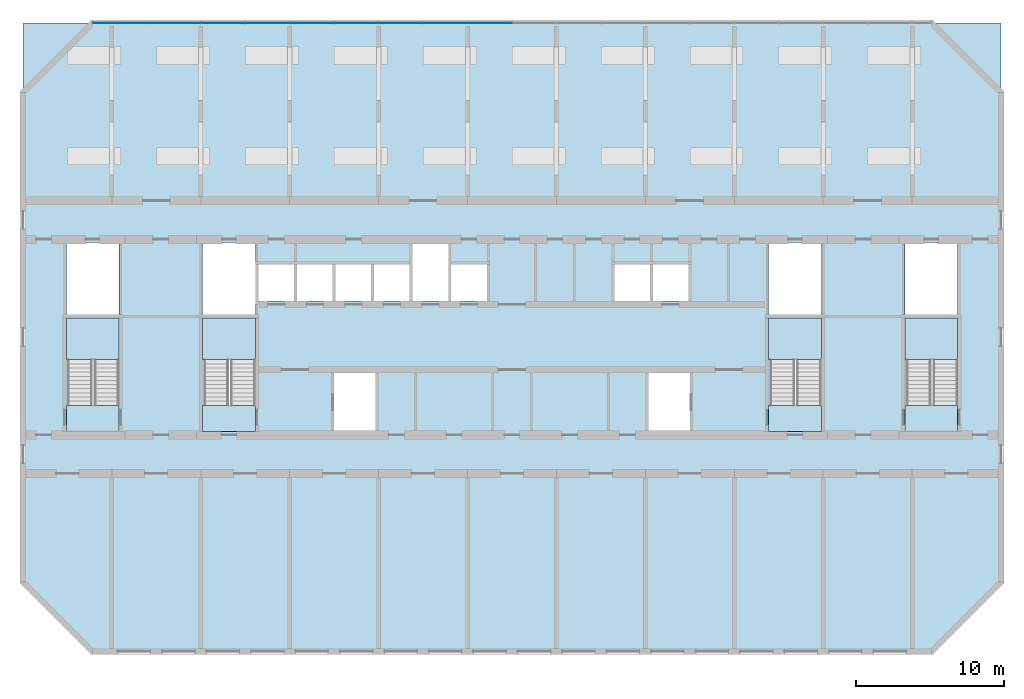
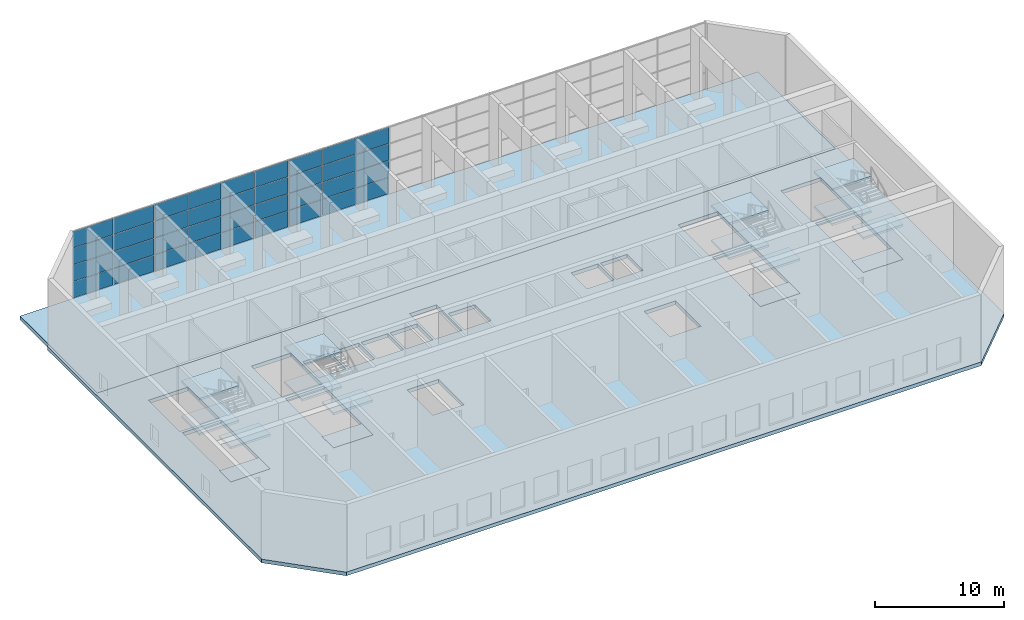
# One storey, part 4 of 13: 36 plates, 18 slabs, 7 elements without a shape of their own.
"""IFC4 building model written with IfcOpenShell, lengths in metres."""

from ifc_helpers import new_model, si_unit, direction, frame, origin, origin_2d, place, context, subcontext, project, spatial, polyline, rectangle, outline, extrude, source, transform, mapped, material, layer, layer_set, type_object, element, aggregate, save


model = new_model("IFC4")

# Units and contexts
model_context = context("Model", 3, precision=1e-05, world=origin(), true_north=direction((0.0, 1.0)))
body_context = subcontext(model_context, "Body", "Model", "MODEL_VIEW")
ifc_project = project(units=[si_unit("LENGTHUNIT", "METRE"), si_unit("AREAUNIT", "SQUARE_METRE"), si_unit("VOLUMEUNIT", "CUBIC_METRE"), si_unit("PLANEANGLEUNIT", "RADIAN"), si_unit("MASSUNIT", "GRAM", prefix="KILO")], contexts=[model_context])

# Site, building, storey
site_placement = place(None, origin())
site = spatial("IfcSite", under=ifc_project, at=site_placement, CompositionType="ELEMENT")
building_placement = place(site_placement, origin())
building = spatial("IfcBuilding", under=site, at=building_placement, Name="Poui Terraces", CompositionType="ELEMENT")
storey_placement = place(building_placement, frame((0.0, 0.0, 165.300048828125)))
storey = spatial("IfcBuildingStorey", under=building, at=storey_placement, Name="L46", CompositionType="ELEMENT", Elevation=165.300048828125)

# Curtain wall, plates
ifc_material_1 = material(Name="Clear glass", Category="glass")
ifc_layer_1 = layer(ifc_material_1, 0.159912109375)
ifc_layer_set_1 = layer_set([ifc_layer_1], Name="Clear glass")
curtain_wall_type = type_object("IfcCurtainWallType", Name="CURTAIN WALL CW-D SKY GARDEN GLAZING", PredefinedType="NOTDEFINED", material=ifc_layer_set_1)
curtain_wall_1_placement = place(storey_placement, origin())
curtain_wall_1 = element("IfcCurtainWall", 1, at=curtain_wall_1_placement, inside=storey, type_object=curtain_wall_type, Name="CW-D SKY GARDEN GLAZING", PredefinedType="NOTDEFINED")
ifc_layer_2 = layer(ifc_material_1, 0.052001953125)
ifc_layer_set_2 = layer_set([ifc_layer_2], Name="Clear glass")
plate_type = type_object("IfcPlateType", Name="CW-D GLASS PANEL 52", PredefinedType="CURTAIN_PANEL", material=ifc_layer_set_2)
plate_1_placement = place(storey_placement, frame((28.158203125, 42.39990234375, 0.050048828125), z_axis=(0.0, 0.0, 1.0), x_axis=(-1.0, 0.0, 0.0)))
plate_1 = element("IfcPlate", 2, at=plate_1_placement, type_object=plate_type, Name="CW-D panel 1.1", PredefinedType="CURTAIN_PANEL", context=body_context, shape_type="SweptSolid", body=[
    extrude(rectangle(XDim=3.58349609375, YDim=0.052001953125, at=origin_2d()), origin(), (0.0, 0.0, 1.0), 1.52001953125),
])
plate_2_placement = place(storey_placement, frame((28.158203125, 42.39990234375, 1.619873046875), z_axis=(0.0, 0.0, 1.0), x_axis=(-1.0, 0.0, 0.0)))
plate_2 = element("IfcPlate", 3, at=plate_2_placement, type_object=plate_type, Name="CW-D panel 1.2", PredefinedType="CURTAIN_PANEL", context=body_context, shape_type="SweptSolid", body=[
    extrude(rectangle(XDim=3.58349609375, YDim=0.052001953125, at=origin_2d()), origin(), (0.0, 0.0, 1.0), 1.544921875),
])
plate_3_placement = place(storey_placement, frame((28.158203125, 42.39990234375, 3.215087890625), z_axis=(0.0, 0.0, 1.0), x_axis=(-1.0, 0.0, 0.0)))
plate_3 = element("IfcPlate", 4, at=plate_3_placement, type_object=plate_type, Name="CW-D panel 1.3", PredefinedType="CURTAIN_PANEL", context=body_context, shape_type="SweptSolid", body=[
    extrude(rectangle(XDim=3.58349609375, YDim=0.052001953125, at=origin_2d()), origin(), (0.0, 0.0, 1.0), 1.544921875),
])
plate_4_placement = place(storey_placement, frame((28.158203125, 42.39990234375, 4.81005859375), z_axis=(0.0, 0.0, 1.0), x_axis=(-1.0, 0.0, 0.0)))
plate_4 = element("IfcPlate", 5, at=plate_4_placement, type_object=plate_type, Name="CW-D panel 1.4", PredefinedType="CURTAIN_PANEL", context=body_context, shape_type="SweptSolid", body=[
    extrude(rectangle(XDim=3.58349609375, YDim=0.052001953125, at=origin_2d()), origin(), (0.0, 0.0, 1.0), 1.52001953125),
])
plate_5_placement = place(storey_placement, frame((24.524658203125, 42.39990234375, 0.050048828125), z_axis=(0.0, 0.0, 1.0), x_axis=(-1.0, 0.0, 0.0)))
plate_5 = element("IfcPlate", 6, at=plate_5_placement, type_object=plate_type, Name="CW-D panel 2.1", PredefinedType="CURTAIN_PANEL", context=body_context, shape_type="SweptSolid", body=[
    extrude(rectangle(XDim=3.58349609375, YDim=0.052001953125, at=origin_2d()), origin(), (0.0, 0.0, 1.0), 1.52001953125),
])
plate_6_placement = place(storey_placement, frame((24.524658203125, 42.39990234375, 1.619873046875), z_axis=(0.0, 0.0, 1.0), x_axis=(-1.0, 0.0, 0.0)))
plate_6 = element("IfcPlate", 7, at=plate_6_placement, type_object=plate_type, Name="CW-D panel 2.2", PredefinedType="CURTAIN_PANEL", context=body_context, shape_type="SweptSolid", body=[
    extrude(rectangle(XDim=3.58349609375, YDim=0.052001953125, at=origin_2d()), origin(), (0.0, 0.0, 1.0), 1.544921875),
])
plate_7_placement = place(storey_placement, frame((24.524658203125, 42.39990234375, 3.215087890625), z_axis=(0.0, 0.0, 1.0), x_axis=(-1.0, 0.0, 0.0)))
plate_7 = element("IfcPlate", 8, at=plate_7_placement, type_object=plate_type, Name="CW-D panel 2.3", PredefinedType="CURTAIN_PANEL", context=body_context, shape_type="SweptSolid", body=[
    extrude(rectangle(XDim=3.58349609375, YDim=0.052001953125, at=origin_2d()), origin(), (0.0, 0.0, 1.0), 1.544921875),
])
plate_8_placement = place(storey_placement, frame((24.524658203125, 42.39990234375, 4.81005859375), z_axis=(0.0, 0.0, 1.0), x_axis=(-1.0, 0.0, 0.0)))
plate_8 = element("IfcPlate", 9, at=plate_8_placement, type_object=plate_type, Name="CW-D panel 2.4", PredefinedType="CURTAIN_PANEL", context=body_context, shape_type="SweptSolid", body=[
    extrude(rectangle(XDim=3.58349609375, YDim=0.052001953125, at=origin_2d()), origin(), (0.0, 0.0, 1.0), 1.52001953125),
])
aggregate(curtain_wall_1, [plate_1, plate_2, plate_3, plate_4, plate_5, plate_6, plate_7, plate_8])

curtain_wall_2_placement = place(storey_placement, origin())
curtain_wall_2 = element("IfcCurtainWall", 10, at=curtain_wall_2_placement, inside=storey, type_object=curtain_wall_type, Name="CW-D SKY GARDEN GLAZING", PredefinedType="NOTDEFINED")
plate_9_placement = place(storey_placement, frame((40.487548828125, 42.39990234375, 0.050048828125), z_axis=(0.0, 0.0, 1.0), x_axis=(-1.0, 0.0, 0.0)))
plate_9 = element("IfcPlate", 11, at=plate_9_placement, type_object=plate_type, Name="CW-D panel 1.1", PredefinedType="CURTAIN_PANEL", context=body_context, shape_type="SweptSolid", body=[
    extrude(rectangle(XDim=2.925048828125, YDim=0.052001953125, at=origin_2d()), origin(), (0.0, 0.0, 1.0), 1.52001953125),
])
plate_10_placement = place(storey_placement, frame((40.487548828125, 42.39990234375, 1.619873046875), z_axis=(0.0, 0.0, 1.0), x_axis=(-1.0, 0.0, 0.0)))
plate_10 = element("IfcPlate", 12, at=plate_10_placement, type_object=plate_type, Name="CW-D panel 1.2", PredefinedType="CURTAIN_PANEL", context=body_context, shape_type="SweptSolid", body=[
    extrude(rectangle(XDim=2.925048828125, YDim=0.052001953125, at=origin_2d()), origin(), (0.0, 0.0, 1.0), 1.544921875),
])
plate_11_placement = place(storey_placement, frame((40.487548828125, 42.39990234375, 3.215087890625), z_axis=(0.0, 0.0, 1.0), x_axis=(-1.0, 0.0, 0.0)))
plate_11 = element("IfcPlate", 13, at=plate_11_placement, type_object=plate_type, Name="CW-D panel 1.3", PredefinedType="CURTAIN_PANEL", context=body_context, shape_type="SweptSolid", body=[
    extrude(rectangle(XDim=2.925048828125, YDim=0.052001953125, at=origin_2d()), origin(), (0.0, 0.0, 1.0), 1.544921875),
])
plate_12_placement = place(storey_placement, frame((40.487548828125, 42.39990234375, 4.81005859375), z_axis=(0.0, 0.0, 1.0), x_axis=(-1.0, 0.0, 0.0)))
plate_12 = element("IfcPlate", 14, at=plate_12_placement, type_object=plate_type, Name="CW-D panel 1.4", PredefinedType="CURTAIN_PANEL", context=body_context, shape_type="SweptSolid", body=[
    extrude(rectangle(XDim=2.925048828125, YDim=0.052001953125, at=origin_2d()), origin(), (0.0, 0.0, 1.0), 1.52001953125),
])
plate_13_placement = place(storey_placement, frame((37.5, 42.39990234375, 0.050048828125), z_axis=(0.0, 0.0, 1.0), x_axis=(-1.0, 0.0, 0.0)))
plate_13 = element("IfcPlate", 15, at=plate_13_placement, type_object=plate_type, Name="CW-D panel 2.1", PredefinedType="CURTAIN_PANEL", context=body_context, shape_type="SweptSolid", body=[
    extrude(rectangle(XDim=2.949951171875, YDim=0.052001953125, at=origin_2d()), origin(), (0.0, 0.0, 1.0), 1.52001953125),
])
plate_14_placement = place(storey_placement, frame((37.5, 42.39990234375, 1.619873046875), z_axis=(0.0, 0.0, 1.0), x_axis=(-1.0, 0.0, 0.0)))
plate_14 = element("IfcPlate", 16, at=plate_14_placement, type_object=plate_type, Name="CW-D panel 2.2", PredefinedType="CURTAIN_PANEL", context=body_context, shape_type="SweptSolid", body=[
    extrude(rectangle(XDim=2.949951171875, YDim=0.052001953125, at=origin_2d()), origin(), (0.0, 0.0, 1.0), 1.544921875),
])
plate_15_placement = place(storey_placement, frame((37.5, 42.39990234375, 3.215087890625), z_axis=(0.0, 0.0, 1.0), x_axis=(-1.0, 0.0, 0.0)))
plate_15 = element("IfcPlate", 17, at=plate_15_placement, type_object=plate_type, Name="CW-D panel 2.3", PredefinedType="CURTAIN_PANEL", context=body_context, shape_type="SweptSolid", body=[
    extrude(rectangle(XDim=2.949951171875, YDim=0.052001953125, at=origin_2d()), origin(), (0.0, 0.0, 1.0), 1.544921875),
])
plate_16_placement = place(storey_placement, frame((37.5, 42.39990234375, 4.81005859375), z_axis=(0.0, 0.0, 1.0), x_axis=(-1.0, 0.0, 0.0)))
plate_16 = element("IfcPlate", 18, at=plate_16_placement, type_object=plate_type, Name="CW-D panel 2.4", PredefinedType="CURTAIN_PANEL", context=body_context, shape_type="SweptSolid", body=[
    extrude(rectangle(XDim=2.949951171875, YDim=0.052001953125, at=origin_2d()), origin(), (0.0, 0.0, 1.0), 1.52001953125),
])
plate_17_placement = place(storey_placement, frame((34.5, 42.39990234375, 0.050048828125), z_axis=(0.0, 0.0, 1.0), x_axis=(-1.0, 0.0, 0.0)))
plate_17 = element("IfcPlate", 19, at=plate_17_placement, type_object=plate_type, Name="CW-D panel 3.1", PredefinedType="CURTAIN_PANEL", context=body_context, shape_type="SweptSolid", body=[
    extrude(rectangle(XDim=2.949951171875, YDim=0.052001953125, at=origin_2d()), origin(), (0.0, 0.0, 1.0), 1.52001953125),
])
plate_18_placement = place(storey_placement, frame((34.5, 42.39990234375, 1.619873046875), z_axis=(0.0, 0.0, 1.0), x_axis=(-1.0, 0.0, 0.0)))
plate_18 = element("IfcPlate", 20, at=plate_18_placement, type_object=plate_type, Name="CW-D panel 3.2", PredefinedType="CURTAIN_PANEL", context=body_context, shape_type="SweptSolid", body=[
    extrude(rectangle(XDim=2.949951171875, YDim=0.052001953125, at=origin_2d()), origin(), (0.0, 0.0, 1.0), 1.544921875),
])
plate_19_placement = place(storey_placement, frame((34.5, 42.39990234375, 3.215087890625), z_axis=(0.0, 0.0, 1.0), x_axis=(-1.0, 0.0, 0.0)))
plate_19 = element("IfcPlate", 21, at=plate_19_placement, type_object=plate_type, Name="CW-D panel 3.3", PredefinedType="CURTAIN_PANEL", context=body_context, shape_type="SweptSolid", body=[
    extrude(rectangle(XDim=2.949951171875, YDim=0.052001953125, at=origin_2d()), origin(), (0.0, 0.0, 1.0), 1.544921875),
])
plate_20_placement = place(storey_placement, frame((34.5, 42.39990234375, 4.81005859375), z_axis=(0.0, 0.0, 1.0), x_axis=(-1.0, 0.0, 0.0)))
plate_20 = element("IfcPlate", 22, at=plate_20_placement, type_object=plate_type, Name="CW-D panel 3.4", PredefinedType="CURTAIN_PANEL", context=body_context, shape_type="SweptSolid", body=[
    extrude(rectangle(XDim=2.949951171875, YDim=0.052001953125, at=origin_2d()), origin(), (0.0, 0.0, 1.0), 1.52001953125),
])
plate_21_placement = place(storey_placement, frame((31.512451171875, 42.39990234375, 0.050048828125), z_axis=(0.0, 0.0, 1.0), x_axis=(-1.0, 0.0, 0.0)))
plate_21 = element("IfcPlate", 23, at=plate_21_placement, type_object=plate_type, Name="CW-D panel 4.1", PredefinedType="CURTAIN_PANEL", context=body_context, shape_type="SweptSolid", body=[
    extrude(rectangle(XDim=2.925048828125, YDim=0.052001953125, at=origin_2d()), origin(), (0.0, 0.0, 1.0), 1.52001953125),
])
plate_22_placement = place(storey_placement, frame((31.512451171875, 42.39990234375, 1.619873046875), z_axis=(0.0, 0.0, 1.0), x_axis=(-1.0, 0.0, 0.0)))
plate_22 = element("IfcPlate", 24, at=plate_22_placement, type_object=plate_type, Name="CW-D panel 4.2", PredefinedType="CURTAIN_PANEL", context=body_context, shape_type="SweptSolid", body=[
    extrude(rectangle(XDim=2.925048828125, YDim=0.052001953125, at=origin_2d()), origin(), (0.0, 0.0, 1.0), 1.544921875),
])
plate_23_placement = place(storey_placement, frame((31.512451171875, 42.39990234375, 3.215087890625), z_axis=(0.0, 0.0, 1.0), x_axis=(-1.0, 0.0, 0.0)))
plate_23 = element("IfcPlate", 25, at=plate_23_placement, type_object=plate_type, Name="CW-D panel 4.3", PredefinedType="CURTAIN_PANEL", context=body_context, shape_type="SweptSolid", body=[
    extrude(rectangle(XDim=2.925048828125, YDim=0.052001953125, at=origin_2d()), origin(), (0.0, 0.0, 1.0), 1.544921875),
])
plate_24_placement = place(storey_placement, frame((31.512451171875, 42.39990234375, 4.81005859375), z_axis=(0.0, 0.0, 1.0), x_axis=(-1.0, 0.0, 0.0)))
plate_24 = element("IfcPlate", 26, at=plate_24_placement, type_object=plate_type, Name="CW-D panel 4.4", PredefinedType="CURTAIN_PANEL", context=body_context, shape_type="SweptSolid", body=[
    extrude(rectangle(XDim=2.925048828125, YDim=0.052001953125, at=origin_2d()), origin(), (0.0, 0.0, 1.0), 1.52001953125),
])
aggregate(curtain_wall_2, [plate_9, plate_10, plate_11, plate_12, plate_13, plate_14, plate_15, plate_16, plate_17, plate_18, plate_19, plate_20, plate_21, plate_22, plate_23, plate_24])

curtain_wall_3_placement = place(storey_placement, origin())
curtain_wall_3 = element("IfcCurtainWall", 27, at=curtain_wall_3_placement, inside=storey, type_object=curtain_wall_type, Name="CW-D SKY GARDEN GLAZING", PredefinedType="NOTDEFINED")
plate_25_placement = place(storey_placement, frame((49.5, 42.39990234375, 0.050048828125), z_axis=(0.0, 0.0, 1.0), x_axis=(-1.0, 0.0, 0.0)))
plate_25 = element("IfcPlate", 28, at=plate_25_placement, type_object=plate_type, Name="CW-D panel 2.1", PredefinedType="CURTAIN_PANEL", context=body_context, shape_type="SweptSolid", body=[
    extrude(rectangle(XDim=2.949951171875, YDim=0.052001953125, at=origin_2d()), origin(), (0.0, 0.0, 1.0), 1.52001953125),
])
plate_26_placement = place(storey_placement, frame((49.5, 42.39990234375, 1.619873046875), z_axis=(0.0, 0.0, 1.0), x_axis=(-1.0, 0.0, 0.0)))
plate_26 = element("IfcPlate", 29, at=plate_26_placement, type_object=plate_type, Name="CW-D panel 2.2", PredefinedType="CURTAIN_PANEL", context=body_context, shape_type="SweptSolid", body=[
    extrude(rectangle(XDim=2.949951171875, YDim=0.052001953125, at=origin_2d()), origin(), (0.0, 0.0, 1.0), 1.544921875),
])
plate_27_placement = place(storey_placement, frame((49.5, 42.39990234375, 3.215087890625), z_axis=(0.0, 0.0, 1.0), x_axis=(-1.0, 0.0, 0.0)))
plate_27 = element("IfcPlate", 30, at=plate_27_placement, type_object=plate_type, Name="CW-D panel 2.3", PredefinedType="CURTAIN_PANEL", context=body_context, shape_type="SweptSolid", body=[
    extrude(rectangle(XDim=2.949951171875, YDim=0.052001953125, at=origin_2d()), origin(), (0.0, 0.0, 1.0), 1.544921875),
])
plate_28_placement = place(storey_placement, frame((49.5, 42.39990234375, 4.81005859375), z_axis=(0.0, 0.0, 1.0), x_axis=(-1.0, 0.0, 0.0)))
plate_28 = element("IfcPlate", 31, at=plate_28_placement, type_object=plate_type, Name="CW-D panel 2.4", PredefinedType="CURTAIN_PANEL", context=body_context, shape_type="SweptSolid", body=[
    extrude(rectangle(XDim=2.949951171875, YDim=0.052001953125, at=origin_2d()), origin(), (0.0, 0.0, 1.0), 1.52001953125),
])
plate_29_placement = place(storey_placement, frame((46.5, 42.39990234375, 0.050048828125), z_axis=(0.0, 0.0, 1.0), x_axis=(-1.0, 0.0, 0.0)))
plate_29 = element("IfcPlate", 32, at=plate_29_placement, type_object=plate_type, Name="CW-D panel 3.1", PredefinedType="CURTAIN_PANEL", context=body_context, shape_type="SweptSolid", body=[
    extrude(rectangle(XDim=2.949951171875, YDim=0.052001953125, at=origin_2d()), origin(), (0.0, 0.0, 1.0), 1.52001953125),
])
plate_30_placement = place(storey_placement, frame((46.5, 42.39990234375, 1.619873046875), z_axis=(0.0, 0.0, 1.0), x_axis=(-1.0, 0.0, 0.0)))
plate_30 = element("IfcPlate", 33, at=plate_30_placement, type_object=plate_type, Name="CW-D panel 3.2", PredefinedType="CURTAIN_PANEL", context=body_context, shape_type="SweptSolid", body=[
    extrude(rectangle(XDim=2.949951171875, YDim=0.052001953125, at=origin_2d()), origin(), (0.0, 0.0, 1.0), 1.544921875),
])
plate_31_placement = place(storey_placement, frame((46.5, 42.39990234375, 3.215087890625), z_axis=(0.0, 0.0, 1.0), x_axis=(-1.0, 0.0, 0.0)))
plate_31 = element("IfcPlate", 34, at=plate_31_placement, type_object=plate_type, Name="CW-D panel 3.3", PredefinedType="CURTAIN_PANEL", context=body_context, shape_type="SweptSolid", body=[
    extrude(rectangle(XDim=2.949951171875, YDim=0.052001953125, at=origin_2d()), origin(), (0.0, 0.0, 1.0), 1.544921875),
])
plate_32_placement = place(storey_placement, frame((46.5, 42.39990234375, 4.81005859375), z_axis=(0.0, 0.0, 1.0), x_axis=(-1.0, 0.0, 0.0)))
plate_32 = element("IfcPlate", 35, at=plate_32_placement, type_object=plate_type, Name="CW-D panel 3.4", PredefinedType="CURTAIN_PANEL", context=body_context, shape_type="SweptSolid", body=[
    extrude(rectangle(XDim=2.949951171875, YDim=0.052001953125, at=origin_2d()), origin(), (0.0, 0.0, 1.0), 1.52001953125),
])
plate_33_placement = place(storey_placement, frame((43.512451171875, 42.39990234375, 0.050048828125), z_axis=(0.0, 0.0, 1.0), x_axis=(-1.0, 0.0, 0.0)))
plate_33 = element("IfcPlate", 36, at=plate_33_placement, type_object=plate_type, Name="CW-D panel 4.1", PredefinedType="CURTAIN_PANEL", context=body_context, shape_type="SweptSolid", body=[
    extrude(rectangle(XDim=2.925048828125, YDim=0.052001953125, at=origin_2d()), origin(), (0.0, 0.0, 1.0), 1.52001953125),
])
plate_34_placement = place(storey_placement, frame((43.512451171875, 42.39990234375, 1.619873046875), z_axis=(0.0, 0.0, 1.0), x_axis=(-1.0, 0.0, 0.0)))
plate_34 = element("IfcPlate", 37, at=plate_34_placement, type_object=plate_type, Name="CW-D panel 4.2", PredefinedType="CURTAIN_PANEL", context=body_context, shape_type="SweptSolid", body=[
    extrude(rectangle(XDim=2.925048828125, YDim=0.052001953125, at=origin_2d()), origin(), (0.0, 0.0, 1.0), 1.544921875),
])
plate_35_placement = place(storey_placement, frame((43.512451171875, 42.39990234375, 3.215087890625), z_axis=(0.0, 0.0, 1.0), x_axis=(-1.0, 0.0, 0.0)))
plate_35 = element("IfcPlate", 38, at=plate_35_placement, type_object=plate_type, Name="CW-D panel 4.3", PredefinedType="CURTAIN_PANEL", context=body_context, shape_type="SweptSolid", body=[
    extrude(rectangle(XDim=2.925048828125, YDim=0.052001953125, at=origin_2d()), origin(), (0.0, 0.0, 1.0), 1.544921875),
])
plate_36_placement = place(storey_placement, frame((43.512451171875, 42.39990234375, 4.81005859375), z_axis=(0.0, 0.0, 1.0), x_axis=(-1.0, 0.0, 0.0)))
plate_36 = element("IfcPlate", 39, at=plate_36_placement, type_object=plate_type, Name="CW-D panel 4.4", PredefinedType="CURTAIN_PANEL", context=body_context, shape_type="SweptSolid", body=[
    extrude(rectangle(XDim=2.925048828125, YDim=0.052001953125, at=origin_2d()), origin(), (0.0, 0.0, 1.0), 1.52001953125),
])
aggregate(curtain_wall_3, [plate_25, plate_26, plate_27, plate_28, plate_29, plate_30, plate_31, plate_32, plate_33, plate_34, plate_35, plate_36])

# Stair, slabs
ifc_material_2 = material(Name="Concrete 65 MPa", Category="concrete")
stair_type = type_object("IfcStairType", Name="EXIT STAIR 1650 65 MPA", PredefinedType="HALF_TURN_STAIR", material=ifc_material_2)
stair_1_placement = place(storey_placement, origin())
stair_1 = element("IfcStair", 40, at=stair_1_placement, inside=storey, type_object=stair_type, Name="L46 CORE STAIR EAST", PredefinedType="HALF_TURN_STAIR")
ifc_layer_3 = layer(ifc_material_2, 0.199951171875)
ifc_layer_set_3 = layer_set([ifc_layer_3], Name="Concrete 65 MPa")
slab_type_1 = type_object("IfcSlabType", Name="STAIR LANDING 200 65 MPA", PredefinedType="LANDING", material=ifc_layer_set_3)
slab_1_placement = place(storey_placement, frame((0.0, 0.0, 1.449951171875)))
slab_1 = element("IfcSlab", 41, at=slab_1_placement, type_object=slab_type_1, Name="ST-CE landing 1", PredefinedType="LANDING", context=body_context, shape_type="SweptSolid", body=[
    extrude(outline(polyline([(68.324951171875, 19.679931640625), (71.875, 19.679931640625), (71.875, 22.47509765625), (68.324951171875, 22.47509765625), (68.324951171875, 19.679931640625)])), origin(), (0.0, 0.0, 1.0), 0.199951171875),
])
slab_2_placement = place(storey_placement, frame((0.0, 0.0, 3.099853515625)))
slab_2 = element("IfcSlab", 42, at=slab_2_placement, type_object=slab_type_1, Name="ST-CE landing 2", PredefinedType="LANDING", context=body_context, shape_type="SweptSolid", body=[
    extrude(outline(polyline([(68.324951171875, 14.824951171875), (71.875, 14.824951171875), (71.875, 16.60009765625), (68.324951171875, 16.60009765625), (68.324951171875, 14.824951171875)])), origin(), (0.0, 0.0, 1.0), 0.2001953125),
])
slab_3_placement = place(storey_placement, frame((0.0, 0.0, 4.749755859375)))
slab_3 = element("IfcSlab", 43, at=slab_3_placement, type_object=slab_type_1, Name="ST-CE landing 3", PredefinedType="LANDING", context=body_context, shape_type="SweptSolid", body=[
    extrude(outline(polyline([(68.324951171875, 19.679931640625), (71.875, 19.679931640625), (71.875, 22.47509765625), (68.324951171875, 22.47509765625), (68.324951171875, 19.679931640625)])), origin(), (0.0, 0.0, 1.0), 0.2001953125),
])
slab_4_placement = place(storey_placement, frame((0.0, 0.0, -0.2001953125)))
slab_4 = element("IfcSlab", 44, at=slab_4_placement, type_object=slab_type_1, Name="ST-CE landing 4", PredefinedType="LANDING", context=body_context, shape_type="SweptSolid", body=[
    extrude(outline(polyline([(68.324951171875, 14.824951171875), (71.875, 14.824951171875), (71.875, 16.60009765625), (68.324951171875, 16.60009765625), (68.324951171875, 14.824951171875)])), origin(), (0.0, 0.0, 1.0), 0.2001953125),
])
aggregate(stair_1, [slab_1, slab_2, slab_3, slab_4])

stair_2_placement = place(storey_placement, origin())
stair_2 = element("IfcStair", 45, at=stair_2_placement, inside=storey, type_object=stair_type, Name="L46 CORE STAIR WEST", PredefinedType="HALF_TURN_STAIR")
slab_5_placement = place(storey_placement, frame((0.0, 0.0, 1.449951171875)))
slab_5 = element("IfcSlab", 46, at=slab_5_placement, type_object=slab_type_1, Name="ST-CW landing 1", PredefinedType="LANDING", context=body_context, shape_type="SweptSolid", body=[
    extrude(outline(polyline([(30.125, 19.679931640625), (33.675048828125, 19.679931640625), (33.675048828125, 22.47509765625), (30.125, 22.47509765625), (30.125, 19.679931640625)])), origin(), (0.0, 0.0, 1.0), 0.199951171875),
])
slab_6_placement = place(storey_placement, frame((0.0, 0.0, 3.099853515625)))
slab_6 = element("IfcSlab", 47, at=slab_6_placement, type_object=slab_type_1, Name="ST-CW landing 2", PredefinedType="LANDING", context=body_context, shape_type="SweptSolid", body=[
    extrude(outline(polyline([(30.125, 14.824951171875), (33.675048828125, 14.824951171875), (33.675048828125, 16.60009765625), (30.125, 16.60009765625), (30.125, 14.824951171875)])), origin(), (0.0, 0.0, 1.0), 0.2001953125),
])
slab_7_placement = place(storey_placement, frame((0.0, 0.0, 4.749755859375)))
slab_7 = element("IfcSlab", 48, at=slab_7_placement, type_object=slab_type_1, Name="ST-CW landing 3", PredefinedType="LANDING", context=body_context, shape_type="SweptSolid", body=[
    extrude(outline(polyline([(30.125, 19.679931640625), (33.675048828125, 19.679931640625), (33.675048828125, 22.47509765625), (30.125, 22.47509765625), (30.125, 19.679931640625)])), origin(), (0.0, 0.0, 1.0), 0.2001953125),
])
slab_8_placement = place(storey_placement, frame((0.0, 0.0, -0.2001953125)))
slab_8 = element("IfcSlab", 49, at=slab_8_placement, type_object=slab_type_1, Name="ST-CW landing 4", PredefinedType="LANDING", context=body_context, shape_type="SweptSolid", body=[
    extrude(outline(polyline([(30.125, 14.824951171875), (33.675048828125, 14.824951171875), (33.675048828125, 16.60009765625), (30.125, 16.60009765625), (30.125, 14.824951171875)])), origin(), (0.0, 0.0, 1.0), 0.2001953125),
])
aggregate(stair_2, [slab_5, slab_6, slab_7, slab_8])

stair_3_placement = place(storey_placement, origin())
stair_3 = element("IfcStair", 50, at=stair_3_placement, inside=storey, type_object=stair_type, Name="L46 TIP STAIR EAST", PredefinedType="HALF_TURN_STAIR")
slab_9_placement = place(storey_placement, frame((0.0, 0.0, 1.449951171875)))
slab_9 = element("IfcSlab", 51, at=slab_9_placement, type_object=slab_type_1, Name="ST-E landing 1", PredefinedType="LANDING", context=body_context, shape_type="SweptSolid", body=[
    extrude(outline(polyline([(77.52490234375, 19.679931640625), (81.074951171875, 19.679931640625), (81.074951171875, 22.47509765625), (77.52490234375, 22.47509765625), (77.52490234375, 19.679931640625)])), origin(), (0.0, 0.0, 1.0), 0.199951171875),
])
slab_10_placement = place(storey_placement, frame((0.0, 0.0, 3.099853515625)))
slab_10 = element("IfcSlab", 52, at=slab_10_placement, type_object=slab_type_1, Name="ST-E landing 2", PredefinedType="LANDING", context=body_context, shape_type="SweptSolid", body=[
    extrude(outline(polyline([(77.52490234375, 14.824951171875), (81.074951171875, 14.824951171875), (81.074951171875, 16.60009765625), (77.52490234375, 16.60009765625), (77.52490234375, 14.824951171875)])), origin(), (0.0, 0.0, 1.0), 0.2001953125),
])
slab_11_placement = place(storey_placement, frame((0.0, 0.0, 4.749755859375)))
slab_11 = element("IfcSlab", 53, at=slab_11_placement, type_object=slab_type_1, Name="ST-E landing 3", PredefinedType="LANDING", context=body_context, shape_type="SweptSolid", body=[
    extrude(outline(polyline([(77.52490234375, 19.679931640625), (81.074951171875, 19.679931640625), (81.074951171875, 22.47509765625), (77.52490234375, 22.47509765625), (77.52490234375, 19.679931640625)])), origin(), (0.0, 0.0, 1.0), 0.2001953125),
])
slab_12_placement = place(storey_placement, frame((0.0, 0.0, -0.2001953125)))
slab_12 = element("IfcSlab", 54, at=slab_12_placement, type_object=slab_type_1, Name="ST-E landing 4", PredefinedType="LANDING", context=body_context, shape_type="SweptSolid", body=[
    extrude(outline(polyline([(77.52490234375, 14.824951171875), (81.074951171875, 14.824951171875), (81.074951171875, 16.60009765625), (77.52490234375, 16.60009765625), (77.52490234375, 14.824951171875)])), origin(), (0.0, 0.0, 1.0), 0.2001953125),
])
aggregate(stair_3, [slab_9, slab_10, slab_11, slab_12])

stair_4_placement = place(storey_placement, origin())
stair_4 = element("IfcStair", 55, at=stair_4_placement, inside=storey, type_object=stair_type, Name="L46 TIP STAIR WEST", PredefinedType="HALF_TURN_STAIR")
slab_13_placement = place(storey_placement, frame((0.0, 0.0, 1.449951171875)))
slab_13 = element("IfcSlab", 56, at=slab_13_placement, type_object=slab_type_1, Name="ST-W landing 1", PredefinedType="LANDING", context=body_context, shape_type="SweptSolid", body=[
    extrude(outline(polyline([(20.925048828125, 19.679931640625), (24.47509765625, 19.679931640625), (24.47509765625, 22.47509765625), (20.925048828125, 22.47509765625), (20.925048828125, 19.679931640625)])), origin(), (0.0, 0.0, 1.0), 0.199951171875),
])
slab_14_placement = place(storey_placement, frame((0.0, 0.0, 3.099853515625)))
slab_14 = element("IfcSlab", 57, at=slab_14_placement, type_object=slab_type_1, Name="ST-W landing 2", PredefinedType="LANDING", context=body_context, shape_type="SweptSolid", body=[
    extrude(outline(polyline([(20.925048828125, 14.824951171875), (24.47509765625, 14.824951171875), (24.47509765625, 16.60009765625), (20.925048828125, 16.60009765625), (20.925048828125, 14.824951171875)])), origin(), (0.0, 0.0, 1.0), 0.2001953125),
])
slab_15_placement = place(storey_placement, frame((0.0, 0.0, 4.749755859375)))
slab_15 = element("IfcSlab", 58, at=slab_15_placement, type_object=slab_type_1, Name="ST-W landing 3", PredefinedType="LANDING", context=body_context, shape_type="SweptSolid", body=[
    extrude(outline(polyline([(20.925048828125, 19.679931640625), (24.47509765625, 19.679931640625), (24.47509765625, 22.47509765625), (20.925048828125, 22.47509765625), (20.925048828125, 19.679931640625)])), origin(), (0.0, 0.0, 1.0), 0.2001953125),
])
slab_16_placement = place(storey_placement, frame((0.0, 0.0, -0.2001953125)))
slab_16 = element("IfcSlab", 59, at=slab_16_placement, type_object=slab_type_1, Name="ST-W landing 4", PredefinedType="LANDING", context=body_context, shape_type="SweptSolid", body=[
    extrude(outline(polyline([(20.925048828125, 14.824951171875), (24.47509765625, 14.824951171875), (24.47509765625, 16.60009765625), (20.925048828125, 16.60009765625), (20.925048828125, 14.824951171875)])), origin(), (0.0, 0.0, 1.0), 0.2001953125),
])
aggregate(stair_4, [slab_13, slab_14, slab_15, slab_16])

# Slabs
ifc_material_3 = material(Name="Concrete 40 MPa", Category="concrete")
ifc_layer_4 = layer(ifc_material_3, 0.35009765625)
ifc_layer_set_4 = layer_set([ifc_layer_4], Name="Concrete 40 MPa")
slab_type_2 = type_object("IfcSlabType", Name="FLOOR SLAB 350", PredefinedType="FLOOR", material=ifc_layer_set_4)
shared_shape_1 = source(origin(), body_context, "Body", "SweptSolid", [
    extrude(outline(polyline([(0.0, 0.0), (0.0, 33.199951171875), (-0.199951171875, 33.39990234375), (-0.199951171875, 25.7998046875), (-66.199951171875, 25.7998046875), (-66.199951171875, 33.39990234375), (-66.39990234375, 33.199951171875), (-66.39990234375, 0.0), (-61.599853515625, -4.800048828125), (-4.800048828125, -4.800048828125), (0.0, 0.0)]), holes=[polyline([(-45.199951171875, 10.224853515625), (-45.199951171875, 14.1748046875), (-42.39990234375, 14.1748046875), (-42.39990234375, 10.224853515625), (-45.199951171875, 10.224853515625)]), polyline([(-63.175048828125, 17.849853515625), (-59.724853515625, 17.849853515625), (-59.724853515625, 12.0), (-59.724853515625, 10.224853515625), (-63.27490234375, 10.224853515625), (-63.27490234375, 12.0), (-63.175048828125, 12.0), (-63.175048828125, 17.849853515625)]), polyline([(-53.974853515625, 17.849853515625), (-50.52490234375, 17.849853515625), (-50.52490234375, 12.0), (-50.52490234375, 10.224853515625), (-54.074951171875, 10.224853515625), (-54.074951171875, 12.0), (-53.974853515625, 12.0), (-53.974853515625, 17.849853515625)]), polyline([(-50.300048828125, 19.02490234375), (-50.300048828125, 21.5), (-47.89990234375, 21.5), (-47.89990234375, 19.02490234375), (-50.300048828125, 19.02490234375)]), polyline([(-47.699951171875, 19.02490234375), (-47.699951171875, 21.5), (-45.300048828125, 21.5), (-45.300048828125, 19.02490234375), (-47.699951171875, 19.02490234375)]), polyline([(-45.099853515625, 19.02490234375), (-45.099853515625, 21.5), (-42.699951171875, 21.5), (-42.699951171875, 19.02490234375), (-45.099853515625, 19.02490234375)]), polyline([(-42.5, 19.02490234375), (-42.5, 21.5), (-40.099853515625, 21.5), (-40.099853515625, 19.02490234375), (-42.5, 19.02490234375)]), polyline([(-63.27490234375, 22.974853515625), (-59.724853515625, 22.974853515625), (-59.724853515625, 18.125), (-63.27490234375, 18.125), (-63.27490234375, 22.974853515625)]), polyline([(-54.074951171875, 22.974853515625), (-50.52490234375, 22.974853515625), (-50.52490234375, 18.125), (-54.074951171875, 18.125), (-54.074951171875, 22.974853515625)]), polyline([(-24.0, 10.224853515625), (-24.0, 14.1748046875), (-21.199951171875, 14.1748046875), (-21.199951171875, 10.224853515625), (-24.0, 10.224853515625)]), polyline([(-15.77490234375, 17.849853515625), (-12.324951171875, 17.849853515625), (-12.324951171875, 12.0), (-12.324951171875, 10.224853515625), (-15.875, 10.224853515625), (-15.875, 12.0), (-15.77490234375, 12.0), (-15.77490234375, 17.849853515625)]), polyline([(-6.574951171875, 17.849853515625), (-3.125, 17.849853515625), (-3.125, 12.0), (-3.125, 10.224853515625), (-6.675048828125, 10.224853515625), (-6.675048828125, 12.0), (-6.574951171875, 12.0), (-6.574951171875, 17.849853515625)]), polyline([(-37.300048828125, 19.02490234375), (-37.300048828125, 21.5), (-34.89990234375, 21.5), (-34.89990234375, 19.02490234375), (-37.300048828125, 19.02490234375)]), polyline([(-26.300048828125, 19.02490234375), (-26.300048828125, 21.5), (-23.89990234375, 21.5), (-23.89990234375, 19.02490234375), (-26.300048828125, 19.02490234375)]), polyline([(-23.699951171875, 19.02490234375), (-23.699951171875, 21.5), (-21.300048828125, 21.5), (-21.300048828125, 19.02490234375), (-23.699951171875, 19.02490234375)]), polyline([(-15.875, 18.125), (-15.875, 22.974853515625), (-12.324951171875, 22.974853515625), (-12.324951171875, 18.125), (-15.875, 18.125)]), polyline([(-6.675048828125, 22.974853515625), (-3.125, 22.974853515625), (-3.125, 18.125), (-6.675048828125, 18.125), (-6.675048828125, 22.974853515625)]), polyline([(-39.89990234375, 22.974853515625), (-37.5, 22.974853515625), (-37.5, 19.02490234375), (-39.89990234375, 19.02490234375), (-39.89990234375, 22.974853515625)])]), origin(), (0.0, 0.0, 1.0), 0.35009765625),
])
slab_17_placement = place(storey_placement, frame((84.199951171875, 4.60009765625, -0.35009765625)))
element("IfcSlab", 60, at=slab_17_placement, inside=storey, type_object=slab_type_2, Name="FLOOR SLAB", PredefinedType="FLOOR", context=body_context, shape_type="MappedRepresentation", body=[
    mapped(shared_shape_1, transform((0.0, 0.0, 0.0))),
])
ifc_layer_5 = layer(ifc_material_3, 0.35009765625)
ifc_layer_set_5 = layer_set([ifc_layer_5], Name="Concrete 40 MPa")
slab_type_3 = type_object("IfcSlabType", Name="GARDEN DECK 350", PredefinedType="FLOOR", material=ifc_layer_set_5)
shared_shape_2 = source(origin(), body_context, "Body", "SweptSolid", [
    extrude(outline(polyline([(0.0, 0.0), (0.0, 12.0), (-66.0, 12.0), (-66.0, 0.0), (0.0, 0.0)])), origin(), (0.0, 0.0, 1.0), 0.35009765625),
])
slab_18_placement = place(storey_placement, frame((84.0, 30.39990234375, -0.35009765625)))
element("IfcSlab", 61, at=slab_18_placement, inside=storey, type_object=slab_type_3, Name="SKY GARDEN DECK", PredefinedType="FLOOR", context=body_context, shape_type="MappedRepresentation", body=[
    mapped(shared_shape_2, transform((0.0, 0.0, 0.0))),
])

save(model, "model.ifc")
